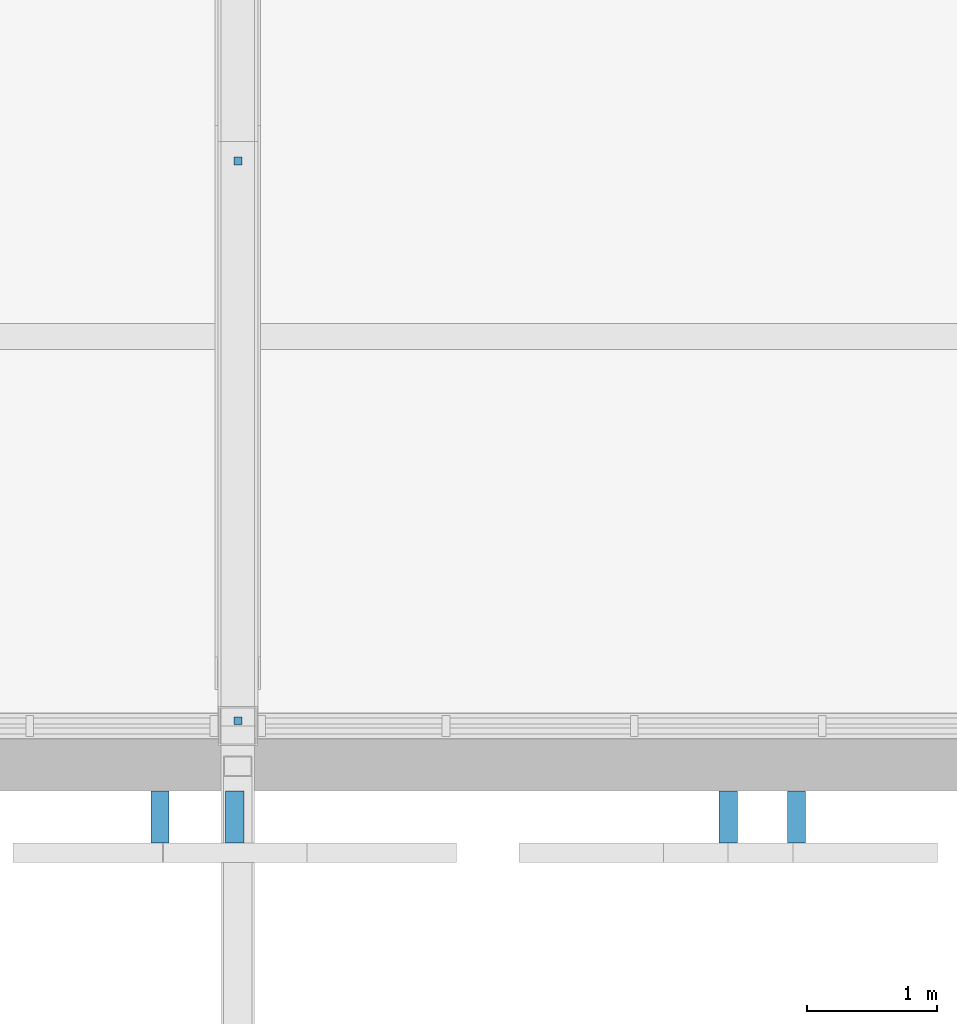
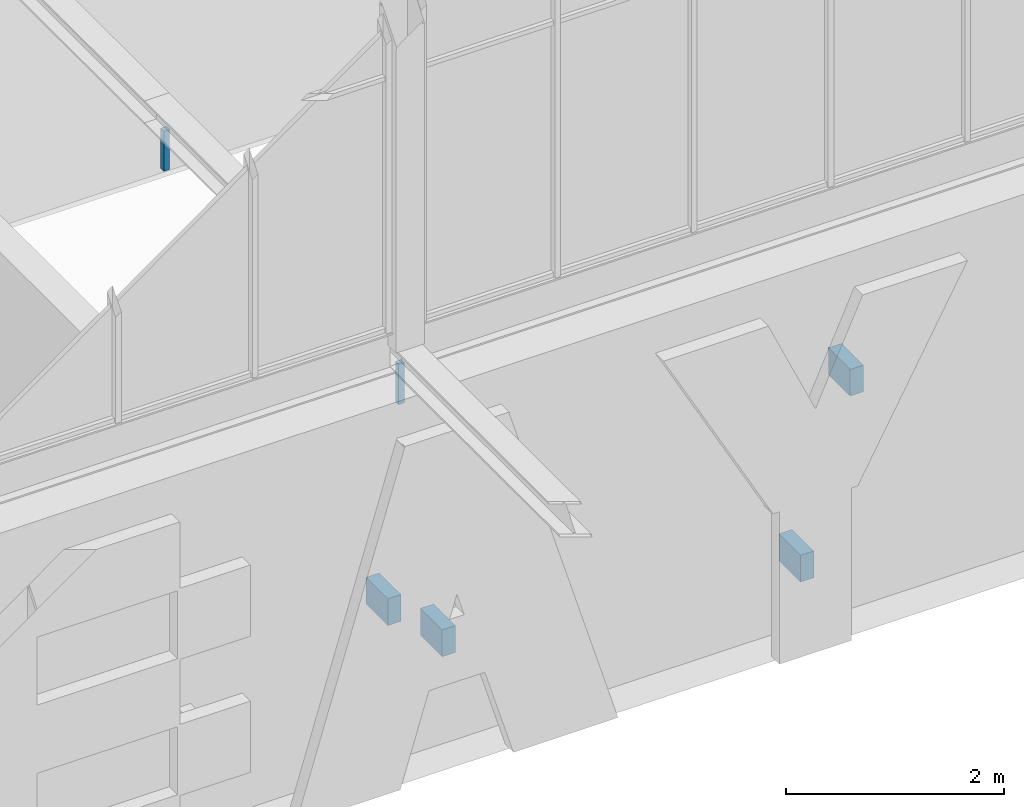
# One storey, part 181 of 646: 6 discrete accessories.
"""IFC4 building model written with IfcOpenShell, lengths in metres."""

from ifc_helpers import new_model, si_unit, direction, frame, origin, origin_2d, place, context, subcontext, project, spatial, rectangle, extrude, material, type_object, element, save


model = new_model("IFC4")

# Units and contexts
model_context = context("Model", 3, precision=1e-05, world=origin(), true_north=direction((0.0, 1.0)))
body_context = subcontext(model_context, "Body", "Model", "MODEL_VIEW")
ifc_project = project(units=[si_unit("LENGTHUNIT", "METRE"), si_unit("AREAUNIT", "SQUARE_METRE"), si_unit("VOLUMEUNIT", "CUBIC_METRE"), si_unit("PLANEANGLEUNIT", "RADIAN"), si_unit("MASSUNIT", "GRAM", prefix="KILO")], contexts=[model_context])

# Site, building, storey
site_placement = place(None, origin())
site = spatial("IfcSite", under=ifc_project, at=site_placement, CompositionType="ELEMENT")
building_placement = place(site_placement, origin())
building = spatial("IfcBuilding", under=site, at=building_placement, Name="Silverbay Arena", CompositionType="ELEMENT")
storey_placement = place(building_placement, frame((0.0, 0.0, 33.5)))
storey = spatial("IfcBuildingStorey", under=building, at=storey_placement, Name="L05", CompositionType="ELEMENT", Elevation=33.5)

# Discrete accessories
ifc_material_1 = material(Name="Steel S355", Category="steel")
discrete_accessory_type_1 = type_object("IfcDiscreteAccessoryType", Name="Ceiling hanger", PredefinedType="BRACKET", material=ifc_material_1)
for number, where, z_axis, x_axis, name in (
    (1, (108.0, 18.0400390625, 3.5498046875), (0.0, 0.0, 1.0), (1.0, 0.0, 0.0), "Ceiling hanger"),
    (2, (108.0, 22.35009765625, 3.5498046875), (0.0, 0.0, 1.0), (1.0, 0.0, 0.0), "Ceiling hanger"),
):
    element("IfcDiscreteAccessory", number, at=place(storey_placement, frame(where, z_axis=z_axis, x_axis=x_axis)), inside=storey, type_object=discrete_accessory_type_1, Name=name, PredefinedType="BRACKET", context=body_context, shape_type="SweptSolid", body=[
        extrude(rectangle(XDim=0.06005859375, YDim=0.06005859375, at=origin_2d()), origin(), (0.0, 0.0, 1.0), 0.449951171875),
    ])
ifc_material_2 = material(Name="Steel S355", Category="steel")
discrete_accessory_type_2 = type_object("IfcDiscreteAccessoryType", Name="Steel bracket plate", PredefinedType="BRACKET", material=ifc_material_2)
for number, where, z_axis, x_axis, name in (
    (3, (107.39990234375, 17.300048828125, 1.85009765625), (0.0, 0.0, 1.0), (1.0, 0.0, 0.0), "Name band bracket plate"),
    (4, (107.97509765625, 17.300048828125, 1.2998046875), (0.0, 0.0, 1.0), (1.0, 0.0, 0.0), "Name band bracket plate"),
    (5, (111.77490234375, 17.300048828125, 0.80517578125), (0.0, 0.0, 1.0), (1.0, 0.0, 0.0), "Name band bracket plate"),
    (6, (112.300048828125, 17.300048828125, 2.705078125), (0.0, 0.0, 1.0), (1.0, 0.0, 0.0), "Name band bracket plate"),
):
    element("IfcDiscreteAccessory", number, at=place(storey_placement, frame(where, z_axis=z_axis, x_axis=x_axis)), inside=storey, type_object=discrete_accessory_type_2, Name=name, PredefinedType="BRACKET", context=body_context, shape_type="SweptSolid", body=[
        extrude(rectangle(XDim=0.139892578125, YDim=0.39990234375, at=origin_2d()), origin(), (0.0, 0.0, 1.0), 0.300048828125),
    ])

save(model, "model.ifc")
